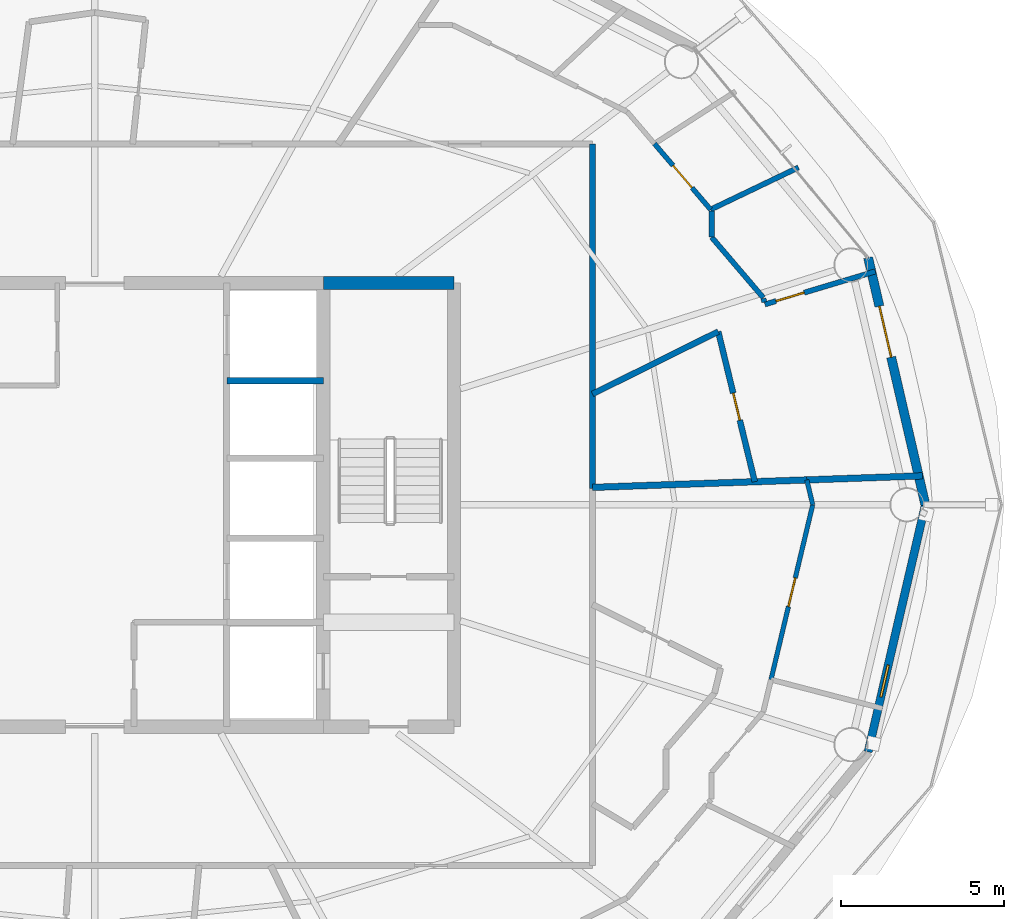
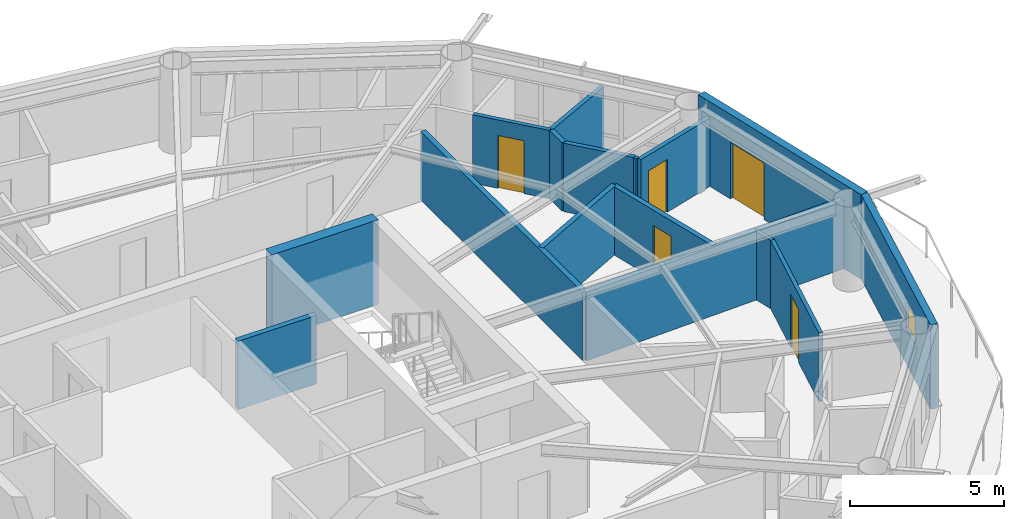
# One storey, part 18 of 23: 17 walls, 5 doors, 1 window, 6 openings.
"""IFC4 building model written with IfcOpenShell, lengths in metres."""

from ifc_helpers import new_model, si_unit, direction, frame, frame_2d, origin, place, context, subcontext, project, spatial, rectangle, extrude, material, layer, layer_set, type_object, element, fill, save


model = new_model("IFC4")

# Units and contexts
model_context = context("Model", 3, precision=1e-05, world=origin(), true_north=direction((0.0, 1.0)))
body_context = subcontext(model_context, "Body", "Model", "MODEL_VIEW")
ifc_project = project(units=[si_unit("LENGTHUNIT", "METRE"), si_unit("AREAUNIT", "SQUARE_METRE"), si_unit("VOLUMEUNIT", "CUBIC_METRE"), si_unit("PLANEANGLEUNIT", "RADIAN"), si_unit("MASSUNIT", "GRAM", prefix="KILO")], contexts=[model_context])

# Site, building, storey
site_placement = place(None, origin())
site = spatial("IfcSite", under=ifc_project, at=site_placement, CompositionType="ELEMENT")
building_placement = place(site_placement, origin())
building = spatial("IfcBuilding", under=site, at=building_placement, Name="Sarneth Arch Tower", CompositionType="ELEMENT")
storey_placement = place(building_placement, frame((0.0, 0.0, 235.199951171875)))
storey = spatial("IfcBuildingStorey", under=building, at=storey_placement, Name="L60", CompositionType="ELEMENT", Elevation=235.199951171875)

# Walls
ifc_material_1 = material(Name="Concrete C50/60", Category="concrete")
ifc_layer_1 = layer(ifc_material_1, 0.39990234375)
ifc_layer_set_1 = layer_set([ifc_layer_1], Name="Concrete C50/60")
wall_type_1 = type_object("IfcWallType", Name="WALL-CORE-400", PredefinedType="SHEAR", material=ifc_layer_set_1)
wall_1_placement = place(storey_placement, frame((55.0, 48.800048828125, 0.0), z_axis=(0.0, 0.0, 1.0), x_axis=(1.0, 0.0, 0.0)))
element("IfcWall", 1, at=wall_1_placement, inside=storey, type_object=wall_type_1, Name="L60 Core shear wall N-E", PredefinedType="SHEAR", context=body_context, shape_type="SweptSolid", body=[
    extrude(rectangle(XDim=4.0, YDim=0.39990234375, at=frame_2d((2.0, 0.0))), origin(), (0.0, 0.0, 1.0), 3.360107421875),
])
ifc_material_2 = material(Name="Double steel-stud corridor fire wall", Category="steel")
ifc_layer_2 = layer(ifc_material_2, 0.18994140625)
ifc_layer_set_2 = layer_set([ifc_layer_2], Name="Double steel-stud corridor fire wall")
wall_type_2 = type_object("IfcWallType", Name="WALL-CORR-190", PredefinedType="PARTITIONING", material=ifc_layer_set_2)
wall_2_placement = place(storey_placement, frame((63.25, 53.050048828125, 0.0), z_axis=(0.0, 0.0, 1.0), x_axis=(0.0, -1.0, 0.0)))
element("IfcWall", 2, at=wall_2_placement, inside=storey, type_object=wall_type_2, Name="L60 Interior partition W-L60-TP-002", PredefinedType="PARTITIONING", context=body_context, shape_type="SweptSolid", body=[
    extrude(rectangle(XDim=10.549560546875, YDim=0.18994140625, at=frame_2d((5.27490234375, 0.0))), origin(), (0.0, 0.0, 1.0), 2.719970703125),
])

# Wall, opening, window
ifc_material_3 = material(Name="Extruded terracotta rainscreen on Concrete C40/50 backing", Category="masonry")
ifc_layer_3 = layer(ifc_material_3, 0.25)
ifc_layer_set_3 = layer_set([ifc_layer_3], Name="Extruded terracotta rainscreen on Concrete C40/50 backing")
wall_type_3 = type_object("IfcWallType", Name="WALL-EXT-SPAND-250", PredefinedType="SOLIDWALL", material=ifc_layer_set_3)
wall_3_placement = place(storey_placement, frame((71.69384765625, 34.430419921875, 0.0), z_axis=(0.0, 0.0, 1.0), x_axis=(0.225635078214, 0.974211892495, 0.0)))
wall_3 = element("IfcWall", 3, at=wall_3_placement, inside=storey, type_object=wall_type_3, Name="L60 Terracotta perimeter wall 16", PredefinedType="SOLIDWALL", context=body_context, shape_type="SweptSolid", body=[
    extrude(rectangle(XDim=7.77001953125, YDim=0.25, at=frame_2d((3.885009765625, 0.0))), origin(), (0.0, 0.0, 1.0), 3.360107421875),
])
opening_1_placement = place(wall_3_placement, frame((1.730224609375, 0.0, 1.419921875)))
opening_1 = element("IfcOpeningElement", 4, at=opening_1_placement, cuts=wall_3, Name="Opening W-14", PredefinedType="OPENING", context=body_context, shape_type="SweptSolid", body=[
    extrude(rectangle(XDim=1.0, YDim=1.050048828125, at=frame_2d((0.5, 0.52490234375))), frame((0.0, 0.135009765625, 0.0), z_axis=(0.0, -1.0, 0.0), x_axis=(1.0, 0.0, 0.0)), (0.0, 0.0, 1.0), 0.27001953125),
])
ifc_material_4 = material(Name="Thermally broken Aluminium 6063-T6 and low-e laminated IGU", Category="aluminium")
window_type = type_object("IfcWindowType", Name="WIN-TWR-1000x1050", PartitioningType="SINGLE_PANEL", PredefinedType="WINDOW", material=ifc_material_4)
window_placement = place(opening_1_placement, origin())
window = element("IfcWindow", 5, at=window_placement, inside=storey, type_object=window_type, Name="L60 Dwelling bedroom window 06", OverallHeight=1.050048828125, OverallWidth=1.0, PartitioningType="SINGLE_PANEL", PredefinedType="WINDOW", context=body_context, shape_type="SweptSolid", body=[
    extrude(rectangle(XDim=1.0, YDim=1.050048828125, at=frame_2d((0.5, 0.52490234375))), frame((0.0, 0.030029296875, 0.0), z_axis=(0.0, -1.0, 0.0), x_axis=(1.0, 0.0, 0.0)), (0.0, 0.0, 1.0), 0.06005859375),
])
fill(opening_1, window)

# Wall, opening, door
ifc_material_5 = material(Name="Extruded terracotta rainscreen on Concrete C40/50 backing", Category="masonry")
ifc_layer_4 = layer(ifc_material_5, 0.280029296875)
ifc_layer_set_4 = layer_set([ifc_layer_4], Name="Extruded terracotta rainscreen on Concrete C40/50 backing")
wall_type_4 = type_object("IfcWallType", Name="WALL-EXT-TERRA-280", PredefinedType="SOLIDWALL", material=ifc_layer_set_4)
wall_4_placement = place(storey_placement, frame((73.447021484375, 42.0, 0.0), z_axis=(0.0, 0.0, 1.0), x_axis=(-0.225635078214, 0.974211892495, 0.0)))
wall_4 = element("IfcWall", 6, at=wall_4_placement, inside=storey, type_object=wall_type_4, Name="L60 Terracotta perimeter wall 01", PredefinedType="SOLIDWALL", context=body_context, shape_type="SweptSolid", body=[
    extrude(rectangle(XDim=7.77001953125, YDim=0.280029296875, at=frame_2d((3.885009765625, 0.0))), origin(), (0.0, 0.0, 1.0), 3.360107421875),
])
opening_2_placement = place(wall_4_placement, frame((4.64208984375, 0.0, 0.0)))
opening_2 = element("IfcOpeningElement", 7, at=opening_2_placement, cuts=wall_4, Name="Opening BD-1", PredefinedType="OPENING", context=body_context, shape_type="SweptSolid", body=[
    extrude(rectangle(XDim=1.60009765625, YDim=2.25, at=frame_2d((0.800048828125, 1.125))), frame((0.0, 0.14990234375, 0.0), z_axis=(0.0, -1.0, 0.0), x_axis=(1.0, 0.0, 0.0)), (0.0, 0.0, 1.0), 0.300048828125),
])
ifc_material_6 = material(Name="Thermally broken Aluminium 6063-T6 and laminated safety glass", Category="aluminium")
door_type_1 = type_object("IfcDoorType", Name="DR-BALC-GLZ-1600", OperationType="DOUBLE_DOOR_SINGLE_SWING", PredefinedType="DOOR", material=ifc_material_6)
door_1_placement = place(opening_2_placement, origin())
door_1 = element("IfcDoor", 8, at=door_1_placement, inside=storey, type_object=door_type_1, Name="L60 Balcony glazed door 01", OperationType="DOUBLE_DOOR_SINGLE_SWING", OverallHeight=2.25, OverallWidth=1.60009765625, PredefinedType="DOOR", context=body_context, shape_type="SweptSolid", body=[
    extrude(rectangle(XDim=1.60009765625, YDim=2.25, at=frame_2d((0.800048828125, 1.125))), frame((0.0, 0.02490234375, 0.0), z_axis=(0.0, -1.0, 0.0), x_axis=(1.0, 0.0, 0.0)), (0.0, 0.0, 1.0), 0.050048828125),
])
fill(opening_2, door_1)

ifc_material_7 = material(Name="Apartment internal stud partition", Category="gypsum")
ifc_layer_5 = layer(ifc_material_7, 0.139892578125)
ifc_layer_set_5 = layer_set([ifc_layer_5], Name="Apartment internal stud partition")
wall_type_5 = type_object("IfcWallType", Name="WALL-PART-140", PredefinedType="PARTITIONING", material=ifc_layer_set_5)
wall_5_placement = place(storey_placement, frame((68.716796875, 36.642333984375, 0.0), z_axis=(0.0, 0.0, 1.0), x_axis=(0.23229157949, 0.972646195745, 0.0)))
wall_5 = element("IfcWall", 9, at=wall_5_placement, inside=storey, type_object=wall_type_5, Name="L60 Interior partition W-L60-TP-107", PredefinedType="PARTITIONING", context=body_context, shape_type="SweptSolid", body=[
    extrude(rectangle(XDim=5.50830078125, YDim=0.139892578125, at=frame_2d((2.754150390625, 0.0))), origin(), (0.0, 0.0, 1.0), 2.719970703125),
])
opening_3_placement = place(wall_5_placement, frame((2.30419921875, 0.0, 0.0)))
opening_3 = element("IfcOpeningElement", 10, at=opening_3_placement, cuts=wall_5, Name="Opening ID-01", PredefinedType="OPENING", context=body_context, shape_type="SweptSolid", body=[
    extrude(rectangle(XDim=0.89990234375, YDim=2.10009765625, at=frame_2d((0.449951171875, 1.050048828125))), frame((0.0, 0.079833984375, 0.0), z_axis=(0.0, -1.0, 0.0), x_axis=(1.0, 0.0, 0.0)), (0.0, 0.0, 1.0), 0.159912109375),
])
ifc_material_8 = material(Name="Engineered hardwood flush door", Category="wood")
door_type_2 = type_object("IfcDoorType", Name="DR-INT-900", OperationType="SINGLE_SWING_LEFT", PredefinedType="DOOR", material=ifc_material_8)
door_2_placement = place(opening_3_placement, origin())
door_2 = element("IfcDoor", 11, at=door_2_placement, inside=storey, type_object=door_type_2, Name="L60 Interior door DR-L60-U6-BED2", OperationType="SINGLE_SWING_LEFT", OverallHeight=2.10009765625, OverallWidth=0.89990234375, PredefinedType="DOOR", context=body_context, shape_type="SweptSolid", body=[
    extrude(rectangle(XDim=0.89990234375, YDim=2.10009765625, at=frame_2d((0.449951171875, 1.050048828125))), frame((0.0, 0.02490234375, 0.0), z_axis=(0.0, -1.0, 0.0), x_axis=(1.0, 0.0, 0.0)), (0.0, 0.0, 1.0), 0.050048828125),
])
fill(opening_3, door_2)

# Wall
wall_6_placement = place(storey_placement, frame((69.996337890625, 42.0, 0.0), z_axis=(0.0, 0.0, 1.0), x_axis=(-0.232252672351, 0.972655486894, 0.0)))
element("IfcWall", 12, at=wall_6_placement, inside=storey, type_object=wall_type_5, Name="L60 Interior partition W-L60-TP-108", PredefinedType="PARTITIONING", context=body_context, shape_type="SweptSolid", body=[
    extrude(rectangle(XDim=0.783203125, YDim=0.139892578125, at=frame_2d((0.3916015625, 0.0))), origin(), (0.0, 0.0, 1.0), 2.719970703125),
])

# Wall, opening, door
ifc_material_9 = material(Name="Acoustic gypsum stud partition", Category="gypsum")
ifc_layer_6 = layer(ifc_material_9, 0.14990234375)
ifc_layer_set_6 = layer_set([ifc_layer_6], Name="Acoustic gypsum stud partition")
wall_type_6 = type_object("IfcWallType", Name="WALL-PART-150", PredefinedType="PARTITIONING", material=ifc_layer_set_6)
wall_7_placement = place(storey_placement, frame((66.867919921875, 51.044677734375, 0.0), z_axis=(0.0, 0.0, 1.0), x_axis=(-0.648999908332, 0.760788485051, 0.0)))
wall_7 = element("IfcWall", 13, at=wall_7_placement, inside=storey, type_object=wall_type_6, Name="L60 Interior partition W-L60-TP-021", PredefinedType="PARTITIONING", context=body_context, shape_type="SweptSolid", body=[
    extrude(rectangle(XDim=2.6513671875, YDim=0.14990234375, at=frame_2d((1.32568359375, 0.0))), origin(), (0.0, 0.0, 1.0), 2.719970703125),
])
opening_4_placement = place(wall_7_placement, frame((0.87548828125, 0.0, 0.0)))
opening_4 = element("IfcOpeningElement", 14, at=opening_4_placement, cuts=wall_7, Name="Opening ID-01", PredefinedType="OPENING", context=body_context, shape_type="SweptSolid", body=[
    extrude(rectangle(XDim=0.89990234375, YDim=2.10009765625, at=frame_2d((0.449951171875, 1.050048828125))), frame((0.0, 0.0849609375, 0.0), z_axis=(0.0, -1.0, 0.0), x_axis=(1.0, 0.0, 0.0)), (0.0, 0.0, 1.0), 0.169921875),
])
door_3_placement = place(opening_4_placement, origin())
door_3 = element("IfcDoor", 15, at=door_3_placement, inside=storey, type_object=door_type_2, Name="L60 Interior door DR-L60-U1-STD", OperationType="SINGLE_SWING_LEFT", OverallHeight=2.10009765625, OverallWidth=0.89990234375, PredefinedType="DOOR", context=body_context, shape_type="SweptSolid", body=[
    extrude(rectangle(XDim=0.89990234375, YDim=2.10009765625, at=frame_2d((0.449951171875, 1.050048828125))), frame((0.0, 0.02490234375, 0.0), z_axis=(0.0, -1.0, 0.0), x_axis=(1.0, 0.0, 0.0)), (0.0, 0.0, 1.0), 0.050048828125),
])
fill(opening_4, door_3)

ifc_material_10 = material(Name="Kitchen wet service chase wall", Category="gypsum")
ifc_layer_7 = layer(ifc_material_10, 0.159912109375)
ifc_layer_set_7 = layer_set([ifc_layer_7], Name="Kitchen wet service chase wall")
wall_type_7 = type_object("IfcWallType", Name="WALL-PLUMB-160", PredefinedType="PLUMBINGWALL", material=ifc_layer_set_7)
wall_8_placement = place(storey_placement, frame((71.913818359375, 49.150634765625, 0.0), z_axis=(0.0, 0.0, 1.0), x_axis=(-0.958092232413, -0.286459899792, 0.0)))
wall_8 = element("IfcWall", 16, at=wall_8_placement, inside=storey, type_object=wall_type_7, Name="L60 Interior partition W-L60-TP-022", PredefinedType="PLUMBINGWALL", context=body_context, shape_type="SweptSolid", body=[
    extrude(rectangle(XDim=3.53173828125, YDim=0.159912109375, at=frame_2d((1.765869140625, 0.0))), origin(), (0.0, 0.0, 1.0), 2.719970703125),
])
opening_5_placement = place(wall_8_placement, frame((2.27587890625, 0.0, 0.0)))
opening_5 = element("IfcOpeningElement", 17, at=opening_5_placement, cuts=wall_8, Name="Opening ID-01", PredefinedType="OPENING", context=body_context, shape_type="SweptSolid", body=[
    extrude(rectangle(XDim=0.89990234375, YDim=2.10009765625, at=frame_2d((0.449951171875, 1.050048828125))), frame((0.0, 0.08984375, 0.0), z_axis=(0.0, -1.0, 0.0), x_axis=(1.0, 0.0, 0.0)), (0.0, 0.0, 1.0), 0.179931640625),
])
door_4_placement = place(opening_5_placement, origin())
door_4 = element("IfcDoor", 18, at=door_4_placement, inside=storey, type_object=door_type_2, Name="L60 Interior door DR-L60-U1-KIT", OperationType="SINGLE_SWING_RIGHT", OverallHeight=2.10009765625, OverallWidth=0.89990234375, PredefinedType="DOOR", context=body_context, shape_type="SweptSolid", body=[
    extrude(rectangle(XDim=0.89990234375, YDim=2.10009765625, at=frame_2d((0.449951171875, 1.050048828125))), frame((0.0, 0.02490234375, 0.0), z_axis=(0.0, -1.0, 0.0), x_axis=(1.0, 0.0, 0.0)), (0.0, 0.0, 1.0), 0.050048828125),
])
fill(opening_5, door_4)

# Walls
wall_9_placement = place(storey_placement, frame((66.867919921875, 51.044677734375, 0.0), z_axis=(0.0, 0.0, 1.0), x_axis=(0.901737580953, 0.4322838594, 0.0)))
element("IfcWall", 19, at=wall_9_placement, inside=storey, type_object=wall_type_7, Name="L60 Interior partition W-L60-TP-035", PredefinedType="PLUMBINGWALL", context=body_context, shape_type="SweptSolid", body=[
    extrude(rectangle(XDim=2.98193359375, YDim=0.159912109375, at=frame_2d((1.490966796875, 0.0))), origin(), (0.0, 0.0, 1.0), 2.719970703125),
])
wall_10_placement = place(storey_placement, frame((68.48095703125, 48.344970703125, 0.0), z_axis=(0.0, 0.0, 1.0), x_axis=(-0.649270866973, 0.760557257082, 0.0)))
element("IfcWall", 20, at=wall_10_placement, inside=storey, type_object=wall_type_7, Name="L60 Interior partition W-L60-TP-024", PredefinedType="PLUMBINGWALL", context=body_context, shape_type="SweptSolid", body=[
    extrude(rectangle(XDim=2.43505859375, YDim=0.159912109375, at=frame_2d((1.217529296875, 0.0))), origin(), (0.0, 0.0, 1.0), 2.719970703125),
])
wall_11_placement = place(storey_placement, frame((66.89990234375, 50.197021484375, 0.0), z_axis=(0.0, 0.0, 1.0), x_axis=(0.0, 1.0, 0.0)))
element("IfcWall", 21, at=wall_11_placement, inside=storey, type_object=wall_type_7, Name="L60 Interior partition W-L60-TP-025", PredefinedType="PLUMBINGWALL", context=body_context, shape_type="SweptSolid", body=[
    extrude(rectangle(XDim=0.81005859375, YDim=0.159912109375, at=frame_2d((0.405029296875, 0.0))), origin(), (0.0, 0.0, 1.0), 2.719970703125),
])
wall_12_placement = place(storey_placement, frame((68.513427734375, 48.208984375, 0.0), z_axis=(0.0, 0.0, 1.0), x_axis=(-0.232095920474, 0.972692903078, 0.0)))
element("IfcWall", 22, at=wall_12_placement, inside=storey, type_object=wall_type_7, Name="L60 Interior partition W-L60-TP-023", PredefinedType="PLUMBINGWALL", context=body_context, shape_type="SweptSolid", body=[
    extrude(rectangle(XDim=0.11572265625, YDim=0.159912109375, at=frame_2d((0.057861328125, 0.0))), origin(), (0.0, 0.0, 1.0), 2.719970703125),
])

# Wall, opening, door
ifc_material_11 = material(Name="Moisture-resistant plumbing chase wall", Category="gypsum")
ifc_layer_8 = layer(ifc_material_11, 0.179931640625)
ifc_layer_set_8 = layer_set([ifc_layer_8], Name="Moisture-resistant plumbing chase wall")
wall_type_8 = type_object("IfcWallType", Name="WALL-PLUMB-180", PredefinedType="PLUMBINGWALL", material=ifc_layer_set_8)
wall_13_placement = place(storey_placement, frame((67.1005859375, 47.30615234375, 0.0), z_axis=(0.0, 0.0, 1.0), x_axis=(0.236585789581, -0.971610603158, 0.0)))
wall_13 = element("IfcWall", 23, at=wall_13_placement, inside=storey, type_object=wall_type_8, Name="L60 Interior partition W-L60-TP-027", PredefinedType="PLUMBINGWALL", context=body_context, shape_type="SweptSolid", body=[
    extrude(rectangle(XDim=4.734619140625, YDim=0.179931640625, at=frame_2d((2.3671875, 0.0))), origin(), (0.0, 0.0, 1.0), 2.719970703125),
])
opening_6_placement = place(wall_13_placement, frame((1.942138671875, 0.0, 0.0)))
opening_6 = element("IfcOpeningElement", 24, at=opening_6_placement, cuts=wall_13, Name="Opening ID-02", PredefinedType="OPENING", context=body_context, shape_type="SweptSolid", body=[
    extrude(rectangle(XDim=0.85009765625, YDim=2.10009765625, at=frame_2d((0.425048828125, 1.050048828125))), frame((0.0, 0.099853515625, 0.0), z_axis=(0.0, -1.0, 0.0), x_axis=(1.0, 0.0, 0.0)), (0.0, 0.0, 1.0), 0.199951171875),
])
ifc_material_12 = material(Name="Moisture-resistant bathroom timber door", Category="wood")
door_type_3 = type_object("IfcDoorType", Name="DR-INT-850", OperationType="SINGLE_SWING_RIGHT", PredefinedType="DOOR", material=ifc_material_12)
door_5_placement = place(opening_6_placement, origin())
door_5 = element("IfcDoor", 25, at=door_5_placement, inside=storey, type_object=door_type_3, Name="L60 Interior door DR-L60-U1-BATH", OperationType="SINGLE_SWING_RIGHT", OverallHeight=2.10009765625, OverallWidth=0.85009765625, PredefinedType="DOOR", context=body_context, shape_type="SweptSolid", body=[
    extrude(rectangle(XDim=0.85009765625, YDim=2.10009765625, at=frame_2d((0.425048828125, 1.050048828125))), frame((0.0, 0.02490234375, 0.0), z_axis=(0.0, -1.0, 0.0), x_axis=(1.0, 0.0, 0.0)), (0.0, 0.0, 1.0), 0.050048828125),
])
fill(opening_6, door_5)

# Walls
wall_14_placement = place(storey_placement, frame((63.25, 45.394287109375, 0.0), z_axis=(0.0, 0.0, 1.0), x_axis=(0.895673054489, 0.444713142893, 0.0)))
element("IfcWall", 26, at=wall_14_placement, inside=storey, type_object=wall_type_8, Name="L60 Interior partition W-L60-TP-026", PredefinedType="PLUMBINGWALL", context=body_context, shape_type="SweptSolid", body=[
    extrude(rectangle(XDim=4.299072265625, YDim=0.179931640625, at=frame_2d((2.1494140625, 0.0))), origin(), (0.0, 0.0, 1.0), 2.719970703125),
])
ifc_material_13 = material(Name="Aerated concrete blockwork C25/30", Category="masonry")
ifc_layer_9 = layer(ifc_material_13, 0.199951171875)
ifc_layer_set_9 = layer_set([ifc_layer_9], Name="Aerated concrete blockwork C25/30")
wall_type_9 = type_object("IfcWallType", Name="WALL-SHAFT-200", PredefinedType="SOLIDWALL", material=ifc_layer_set_9)
wall_15_placement = place(storey_placement, frame((52.050048828125, 45.800048828125, 0.0), z_axis=(0.0, 0.0, 1.0), x_axis=(1.0, 0.0, 0.0)))
element("IfcWall", 27, at=wall_15_placement, inside=storey, type_object=wall_type_9, Name="L60 Interior partition W-L60-EB-DIV-4580", PredefinedType="SOLIDWALL", context=body_context, shape_type="SweptSolid", body=[
    extrude(rectangle(XDim=2.949951171875, YDim=0.199951171875, at=frame_2d((1.47509765625, 0.0))), origin(), (0.0, 0.0, 1.0), 2.719970703125),
])
ifc_material_14 = material(Name="Double steel-stud acoustic drywall", Category="steel")
ifc_layer_10 = layer(ifc_material_14, 0.199951171875)
ifc_layer_set_10 = layer_set([ifc_layer_10], Name="Double steel-stud acoustic drywall")
wall_type_10 = type_object("IfcWallType", Name="WALL-UNIT-200", PredefinedType="PARTITIONING", material=ifc_layer_set_10)
wall_16_placement = place(storey_placement, frame((69.814453125, 42.76171875, 0.0), z_axis=(0.0, 0.0, 1.0), x_axis=(-0.999390761745, -0.034901365861, 0.0)))
element("IfcWall", 28, at=wall_16_placement, inside=storey, type_object=wall_type_10, Name="L60 Interior partition W-L60-TP-037", PredefinedType="PARTITIONING", context=body_context, shape_type="SweptSolid", body=[
    extrude(rectangle(XDim=6.568359375, YDim=0.199951171875, at=frame_2d((3.2841796875, 0.0))), origin(), (0.0, 0.0, 1.0), 2.719970703125),
])
wall_17_placement = place(storey_placement, frame((69.814453125, 42.76171875, 0.0), z_axis=(0.0, 0.0, 1.0), x_axis=(0.999389719612, 0.034931194273, 0.0)))
element("IfcWall", 29, at=wall_17_placement, inside=storey, type_object=wall_type_10, Name="L60 Interior partition W-L60-TP-034", PredefinedType="PARTITIONING", context=body_context, shape_type="SweptSolid", body=[
    extrude(rectangle(XDim=3.550537109375, YDim=0.199951171875, at=frame_2d((1.775390625, 0.0))), origin(), (0.0, 0.0, 1.0), 2.719970703125),
])

save(model, "model.ifc")
